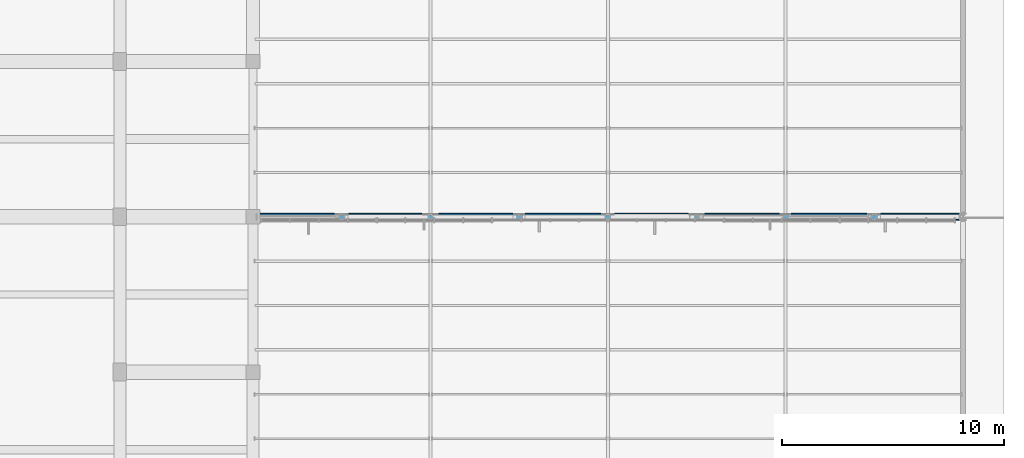
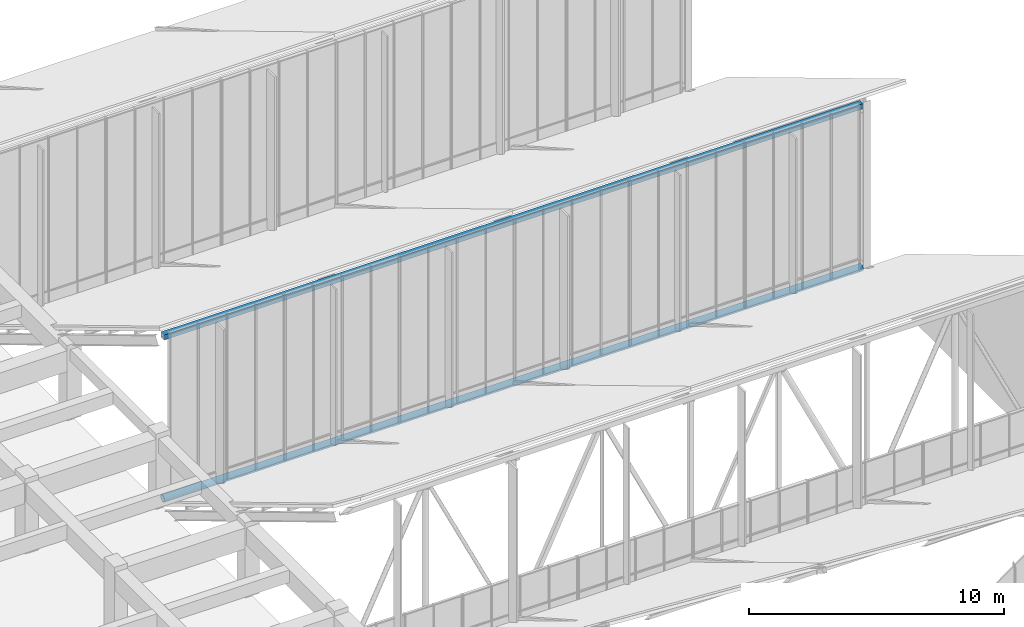
# One storey, part 66 of 155: 2 members.
"""IFC4 building model written with IfcOpenShell, lengths in metres."""

from ifc_helpers import new_model, si_unit, direction, frame, origin, origin_2d, place, context, subcontext, project, spatial, hollow_rectangle, hollow_circle, extrude, material, material_profile, profile_set, type_object, element, save


model = new_model("IFC4")

# Units and contexts
model_context = context("Model", 3, precision=1e-05, world=origin(), true_north=direction((0.0, 1.0)))
body_context = subcontext(model_context, "Body", "Model", "MODEL_VIEW")
ifc_project = project(units=[si_unit("LENGTHUNIT", "METRE"), si_unit("AREAUNIT", "SQUARE_METRE"), si_unit("VOLUMEUNIT", "CUBIC_METRE"), si_unit("PLANEANGLEUNIT", "RADIAN"), si_unit("MASSUNIT", "GRAM", prefix="KILO")], contexts=[model_context])

# Site, building, storey
site_placement = place(None, origin())
site = spatial("IfcSite", under=ifc_project, at=site_placement, CompositionType="ELEMENT")
building_placement = place(site_placement, origin())
building = spatial("IfcBuilding", under=site, at=building_placement, Name="Larkveld Mobility Hub", CompositionType="ELEMENT")
storey_placement = place(building_placement, frame((0.0, 0.0, 8.39990234375)))
storey = spatial("IfcBuildingStorey", under=building, at=storey_placement, Name="L02", CompositionType="ELEMENT", Elevation=8.39990234375)

# Members
ifc_material = material(Name="Steel S355JR", Category="steel")
ifc_material_profile_1 = material_profile(ifc_material, hollow_circle(Radius=0.161865234375, WallThickness=0.012451171875, at=origin_2d()), Name="CHS 323.9x12.5")
ifc_profile_set_1 = profile_set([ifc_material_profile_1], Name="Steel S355JR")
member_type_1 = type_object("IfcMemberType", Name="MB-CH-CHS324", PredefinedType="CHORD", material=ifc_profile_set_1)
member_1_placement = place(storey_placement, frame((152.159912109375, 98.0, 0.162109375), z_axis=(1.0, 0.0, 0.0), x_axis=(0.0, 1.0, 0.0)))
element("IfcMember", 1, at=member_1_placement, inside=storey, type_object=member_type_1, Name="ROOF TRUSS T6 Bottom Chord", PredefinedType="CHORD", context=body_context, shape_type="SweptSolid", body=[
    extrude(hollow_circle(Radius=0.161865234375, WallThickness=0.012451171875, at=origin_2d()), origin(), (0.0, 0.0, 1.0), 31.68017578125),
])
ifc_material_profile_2 = material_profile(ifc_material, hollow_rectangle(XDim=0.25, YDim=0.25, WallThickness=0.012451171875, at=origin_2d()), Name="SHS 250x250x12.5")
ifc_profile_set_2 = profile_set([ifc_material_profile_2], Name="Steel S355JR")
member_type_2 = type_object("IfcMemberType", Name="MB-CH-SHS250", PredefinedType="CHORD", material=ifc_profile_set_2)
member_2_placement = place(storey_placement, frame((152.159912109375, 98.0, 7.9501953125), z_axis=(1.0, 0.0, 0.0), x_axis=(0.0, 1.0, 0.0)))
element("IfcMember", 2, at=member_2_placement, inside=storey, type_object=member_type_2, Name="ROOF TRUSS T6 Top Chord", PredefinedType="CHORD", context=body_context, shape_type="SweptSolid", body=[
    extrude(hollow_rectangle(XDim=0.25, YDim=0.25, WallThickness=0.012451171875, at=origin_2d()), origin(), (0.0, 0.0, 1.0), 31.68017578125),
])

save(model, "model.ifc")
